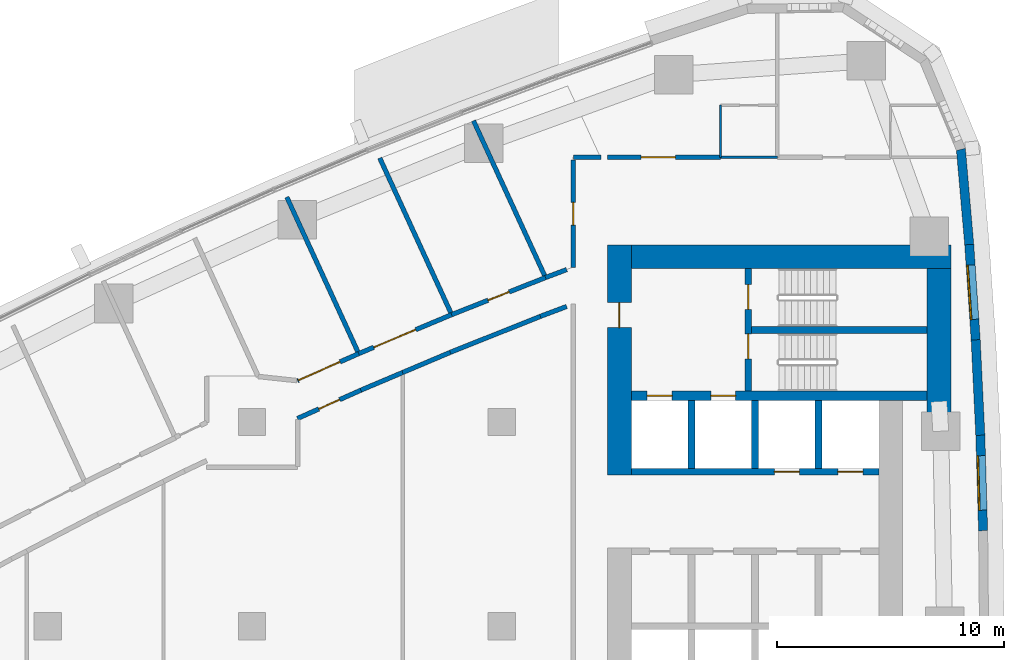
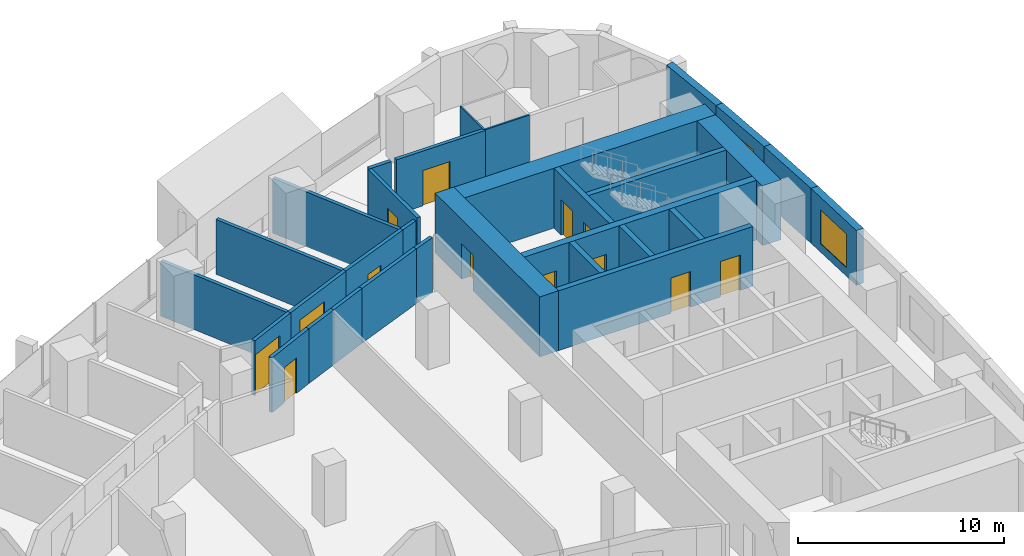
# One storey, part 12 of 17: 31 walls, 13 doors, 2 windows, 15 openings.
"""IFC4 building model written with IfcOpenShell, lengths in metres."""

from ifc_helpers import new_model, si_unit, direction, frame, frame_2d, origin, place, context, subcontext, project, spatial, polyline, rectangle, outline, extrude, material, layer, layer_set, type_object, element, fill, save


model = new_model("IFC4")

# Units and contexts
model_context = context("Model", 3, precision=1e-05, world=origin(), true_north=direction((0.0, 1.0)))
body_context = subcontext(model_context, "Body", "Model", "MODEL_VIEW")
ifc_project = project(units=[si_unit("LENGTHUNIT", "METRE"), si_unit("AREAUNIT", "SQUARE_METRE"), si_unit("VOLUMEUNIT", "CUBIC_METRE"), si_unit("PLANEANGLEUNIT", "RADIAN"), si_unit("MASSUNIT", "GRAM", prefix="KILO")], contexts=[model_context])

# Site, building, storey
site_placement = place(None, origin())
site = spatial("IfcSite", under=ifc_project, at=site_placement, CompositionType="ELEMENT")
building_placement = place(site_placement, origin())
building = spatial("IfcBuilding", under=site, at=building_placement, Name="Ostrand Prow Hotel Tower", CompositionType="ELEMENT")
storey_placement = place(building_placement, frame((0.0, 0.0, 88.449951171875)))
storey = spatial("IfcBuildingStorey", under=building, at=storey_placement, Name="L20", CompositionType="ELEMENT", Elevation=88.449951171875)

# Wall, opening, door
ifc_material_1 = material(Name="Concrete C80/95", Category="concrete")
ifc_layer_1 = layer(ifc_material_1, 1.050048828125)
ifc_layer_set_1 = layer_set([ifc_layer_1], Name="Concrete C80/95")
wall_type_1 = type_object("IfcWallType", Name="Core wall 1050 C80/95", PredefinedType="SHEAR", material=ifc_layer_set_1)
wall_1_placement = place(storey_placement, frame((50.175048828125, 6.64990234375, 0.0), z_axis=(0.0, 0.0, 1.0), x_axis=(0.0, 1.0, 0.0)))
wall_1 = element("IfcWall", 1, at=wall_1_placement, inside=storey, type_object=wall_type_1, Name="Core wall CW-W-N", PredefinedType="SHEAR", context=body_context, shape_type="SweptSolid", body=[
    extrude(rectangle(XDim=10.150146484375, YDim=1.050048828125, at=frame_2d((5.0751953125, 0.0))), origin(), (0.0, 0.0, 1.0), 3.550048828125),
])
opening_1_placement = place(wall_1_placement, frame((6.5, 0.0, 0.0)))
opening_1 = element("IfcOpeningElement", 2, at=opening_1_placement, cuts=wall_1, Name="Opening FD1", PredefinedType="OPENING", context=body_context, shape_type="SweptSolid", body=[
    extrude(rectangle(XDim=1.10009765625, YDim=2.10009765625, at=frame_2d((0.550048828125, 1.050048828125))), frame((0.0, 0.534912109375, 0.0), z_axis=(0.0, -1.0, 0.0), x_axis=(1.0, 0.0, 0.0)), (0.0, 0.0, 1.0), 1.070068359375),
])
ifc_material_2 = material(Name="Steel fire door", Category="steel")
door_type_1 = type_object("IfcDoorType", Name="Fire door 1100 EI120", OperationType="SINGLE_SWING_RIGHT", PredefinedType="DOOR", material=ifc_material_2)
door_1_placement = place(opening_1_placement, origin())
door_1 = element("IfcDoor", 3, at=door_1_placement, inside=storey, type_object=door_type_1, Name="FIRE DOOR", OperationType="SINGLE_SWING_RIGHT", OverallHeight=2.10009765625, OverallWidth=1.10009765625, PredefinedType="DOOR", context=body_context, shape_type="SweptSolid", body=[
    extrude(rectangle(XDim=1.10009765625, YDim=2.10009765625, at=frame_2d((0.550048828125, 1.050048828125))), frame((0.0, 0.02490234375, 0.0), z_axis=(0.0, -1.0, 0.0), x_axis=(1.0, 0.0, 0.0)), (0.0, 0.0, 1.0), 0.050048828125),
])
fill(opening_1, door_1)

# Walls
wall_2_placement = place(storey_placement, frame((50.699951171875, 16.27490234375, 0.0), z_axis=(0.0, 0.0, 1.0), x_axis=(1.0, 0.0, 0.0)))
element("IfcWall", 4, at=wall_2_placement, inside=storey, type_object=wall_type_1, Name="Core wall CW-N", PredefinedType="SHEAR", context=body_context, shape_type="SweptSolid", body=[
    extrude(rectangle(XDim=14.070068359375, YDim=1.050048828125, at=frame_2d((7.03515625, 0.0))), origin(), (0.0, 0.0, 1.0), 3.550048828125),
])
wall_3_placement = place(storey_placement, frame((64.2451171875, 9.388671875, 0.0), z_axis=(0.0, 0.0, 1.0), x_axis=(0.0, 1.0, 0.0)))
element("IfcWall", 5, at=wall_3_placement, inside=storey, type_object=wall_type_1, Name="Core wall CW-E-N", PredefinedType="SHEAR", context=body_context, shape_type="SweptSolid", body=[
    extrude(rectangle(XDim=6.361328125, YDim=1.050048828125, at=frame_2d((3.1806640625, 0.0))), origin(), (0.0, 0.0, 1.0), 3.550048828125),
])

# Wall, openings, doors
ifc_material_3 = material(Name="Concrete C80/95", Category="concrete")
ifc_layer_2 = layer(ifc_material_3, 0.300048828125)
ifc_layer_set_2 = layer_set([ifc_layer_2], Name="Concrete C80/95")
wall_type_2 = type_object("IfcWallType", Name="Core wall 300 C80/95", PredefinedType="SHEAR", material=ifc_layer_set_2)
wall_4_placement = place(storey_placement, frame((50.699951171875, 6.800048828125, 0.0), z_axis=(0.0, 0.0, 1.0), x_axis=(1.0, 0.0, 0.0)))
wall_4 = element("IfcWall", 6, at=wall_4_placement, inside=storey, type_object=wall_type_2, Name="Core wall PW-L2-N", PredefinedType="SHEAR", context=body_context, shape_type="SweptSolid", body=[
    extrude(rectangle(XDim=10.900146484375, YDim=0.300048828125, at=frame_2d((5.4501953125, 0.0))), origin(), (0.0, 0.0, 1.0), 3.550048828125),
])
opening_2_placement = place(wall_4_placement, frame((6.300048828125, 0.0, 0.0)))
opening_2 = element("IfcOpeningElement", 7, at=opening_2_placement, cuts=wall_4, Name="Opening LD", PredefinedType="OPENING", context=body_context, shape_type="SweptSolid", body=[
    extrude(rectangle(XDim=1.10009765625, YDim=2.10009765625, at=frame_2d((0.550048828125, 1.050048828125))), frame((0.0, 0.159912109375, 0.0), z_axis=(0.0, -1.0, 0.0), x_axis=(1.0, 0.0, 0.0)), (0.0, 0.0, 1.0), 0.320068359375),
])
opening_3_placement = place(wall_4_placement, frame((9.10009765625, 0.0, 0.0)))
opening_3 = element("IfcOpeningElement", 8, at=opening_3_placement, cuts=wall_4, Name="Opening LD", PredefinedType="OPENING", context=body_context, shape_type="SweptSolid", body=[
    extrude(rectangle(XDim=1.10009765625, YDim=2.10009765625, at=frame_2d((0.550048828125, 1.050048828125))), frame((0.0, 0.159912109375, 0.0), z_axis=(0.0, -1.0, 0.0), x_axis=(1.0, 0.0, 0.0)), (0.0, 0.0, 1.0), 0.320068359375),
])
ifc_material_4 = material(Name="Stainless steel door", Category="steel")
door_type_2 = type_object("IfcDoorType", Name="Lift landing door 1100", OperationType="DOUBLE_DOOR_SLIDING", PredefinedType="DOOR", material=ifc_material_4)
door_2_placement = place(opening_2_placement, origin())
door_2 = element("IfcDoor", 9, at=door_2_placement, inside=storey, type_object=door_type_2, Name="LIFT LANDING DOOR", OperationType="DOUBLE_DOOR_SLIDING", OverallHeight=2.10009765625, OverallWidth=1.10009765625, PredefinedType="DOOR", context=body_context, shape_type="SweptSolid", body=[
    extrude(rectangle(XDim=1.10009765625, YDim=2.10009765625, at=frame_2d((0.550048828125, 1.050048828125))), frame((0.0, 0.02490234375, 0.0), z_axis=(0.0, -1.0, 0.0), x_axis=(1.0, 0.0, 0.0)), (0.0, 0.0, 1.0), 0.050048828125),
])
fill(opening_2, door_2)
door_3_placement = place(opening_3_placement, origin())
door_3 = element("IfcDoor", 10, at=door_3_placement, inside=storey, type_object=door_type_2, Name="LIFT LANDING DOOR", OperationType="DOUBLE_DOOR_SLIDING", OverallHeight=2.10009765625, OverallWidth=1.10009765625, PredefinedType="DOOR", context=body_context, shape_type="SweptSolid", body=[
    extrude(rectangle(XDim=1.10009765625, YDim=2.10009765625, at=frame_2d((0.550048828125, 1.050048828125))), frame((0.0, 0.02490234375, 0.0), z_axis=(0.0, -1.0, 0.0), x_axis=(1.0, 0.0, 0.0)), (0.0, 0.0, 1.0), 0.050048828125),
])
fill(opening_3, door_3)

# Walls
for number, where, z_axis, x_axis, name in (
    (11, (53.35009765625, 6.949951171875, 0.0), (0.0, 0.0, 1.0), (0.0, 1.0, 0.0), "Core wall PW-R1-NA"),
    (12, (56.14990234375, 6.949951171875, 0.0), (0.0, 0.0, 1.0), (0.0, 1.0, 0.0), "Core wall PW-R2-NA"),
    (13, (58.949951171875, 6.949951171875, 0.0), (0.0, 0.0, 1.0), (0.0, 1.0, 0.0), "Core wall PW-R3-NA"),
):
    element("IfcWall", number, at=place(storey_placement, frame(where, z_axis=z_axis, x_axis=x_axis)), inside=storey, type_object=wall_type_2, Name=name, PredefinedType="SHEAR", context=body_context, shape_type="SweptSolid", body=[
        extrude(rectangle(XDim=3.0, YDim=0.300048828125, at=frame_2d((1.5, 0.0))), origin(), (0.0, 0.0, 1.0), 3.550048828125),
    ])

# Wall, openings, doors
wall_5_placement = place(storey_placement, frame((55.85009765625, 10.35009765625, 0.0), z_axis=(0.0, 0.0, 1.0), x_axis=(0.0, 1.0, 0.0)))
wall_5 = element("IfcWall", 14, at=wall_5_placement, inside=storey, type_object=wall_type_2, Name="Core wall PW-VN", PredefinedType="SHEAR", context=body_context, shape_type="SweptSolid", body=[
    extrude(rectangle(XDim=5.39990234375, YDim=0.300048828125, at=frame_2d((2.699951171875, 0.0))), origin(), (0.0, 0.0, 1.0), 3.550048828125),
])
opening_4_placement = place(wall_5_placement, frame((1.429931640625, 0.0, 0.0)))
opening_4 = element("IfcOpeningElement", 15, at=opening_4_placement, cuts=wall_5, Name="Opening FD1", PredefinedType="OPENING", context=body_context, shape_type="SweptSolid", body=[
    extrude(rectangle(XDim=1.10009765625, YDim=2.10009765625, at=frame_2d((0.550048828125, 1.050048828125))), frame((0.0, 0.159912109375, 0.0), z_axis=(0.0, -1.0, 0.0), x_axis=(1.0, 0.0, 0.0)), (0.0, 0.0, 1.0), 0.320068359375),
])
opening_5_placement = place(wall_5_placement, frame((3.60009765625, 0.0, 0.0)))
opening_5 = element("IfcOpeningElement", 16, at=opening_5_placement, cuts=wall_5, Name="Opening FD1", PredefinedType="OPENING", context=body_context, shape_type="SweptSolid", body=[
    extrude(rectangle(XDim=1.10009765625, YDim=2.10009765625, at=frame_2d((0.550048828125, 1.050048828125))), frame((0.0, 0.159912109375, 0.0), z_axis=(0.0, -1.0, 0.0), x_axis=(1.0, 0.0, 0.0)), (0.0, 0.0, 1.0), 0.320068359375),
])
door_4_placement = place(opening_4_placement, origin())
door_4 = element("IfcDoor", 17, at=door_4_placement, inside=storey, type_object=door_type_1, Name="FIRE DOOR", OperationType="SINGLE_SWING_RIGHT", OverallHeight=2.10009765625, OverallWidth=1.10009765625, PredefinedType="DOOR", context=body_context, shape_type="SweptSolid", body=[
    extrude(rectangle(XDim=1.10009765625, YDim=2.10009765625, at=frame_2d((0.550048828125, 1.050048828125))), frame((0.0, 0.02490234375, 0.0), z_axis=(0.0, -1.0, 0.0), x_axis=(1.0, 0.0, 0.0)), (0.0, 0.0, 1.0), 0.050048828125),
])
fill(opening_4, door_4)
door_5_placement = place(opening_5_placement, origin())
door_5 = element("IfcDoor", 18, at=door_5_placement, inside=storey, type_object=door_type_1, Name="FIRE DOOR", OperationType="SINGLE_SWING_RIGHT", OverallHeight=2.10009765625, OverallWidth=1.10009765625, PredefinedType="DOOR", context=body_context, shape_type="SweptSolid", body=[
    extrude(rectangle(XDim=1.10009765625, YDim=2.10009765625, at=frame_2d((0.550048828125, 1.050048828125))), frame((0.0, 0.02490234375, 0.0), z_axis=(0.0, -1.0, 0.0), x_axis=(1.0, 0.0, 0.0)), (0.0, 0.0, 1.0), 0.050048828125),
])
fill(opening_5, door_5)

# Wall
wall_6_placement = place(storey_placement, frame((56.0, 13.050048828125, 0.0), z_axis=(0.0, 0.0, 1.0), x_axis=(1.0, 0.0, 0.0)))
element("IfcWall", 19, at=wall_6_placement, inside=storey, type_object=wall_type_2, Name="Core wall PW-ST13", PredefinedType="SHEAR", context=body_context, shape_type="SweptSolid", body=[
    extrude(rectangle(XDim=7.719970703125, YDim=0.300048828125, at=frame_2d((3.85986328125, 0.0))), origin(), (0.0, 0.0, 1.0), 3.550048828125),
])

# Wall, openings, doors
ifc_material_5 = material(Name="Concrete C80/95", Category="concrete")
ifc_layer_3 = layer(ifc_material_5, 0.39990234375)
ifc_layer_set_3 = layer_set([ifc_layer_3], Name="Concrete C80/95")
wall_type_3 = type_object("IfcWallType", Name="Core wall 400 C80/95", PredefinedType="SHEAR", material=ifc_layer_set_3)
wall_7_placement = place(storey_placement, frame((50.699951171875, 10.14990234375, 0.0), z_axis=(0.0, 0.0, 1.0), x_axis=(1.0, 0.0, 0.0)))
wall_7 = element("IfcWall", 20, at=wall_7_placement, inside=storey, type_object=wall_type_3, Name="Core wall PW-BN", PredefinedType="SHEAR", context=body_context, shape_type="SweptSolid", body=[
    extrude(rectangle(XDim=13.02001953125, YDim=0.39990234375, at=frame_2d((6.510009765625, 0.0))), origin(), (0.0, 0.0, 1.0), 3.550048828125),
])
opening_6_placement = place(wall_7_placement, frame((0.699951171875, 0.0, 0.0)))
opening_6 = element("IfcOpeningElement", 21, at=opening_6_placement, cuts=wall_7, Name="Opening LD", PredefinedType="OPENING", context=body_context, shape_type="SweptSolid", body=[
    extrude(rectangle(XDim=1.10009765625, YDim=2.10009765625, at=frame_2d((0.550048828125, 1.050048828125))), frame((0.0, 0.2099609375, 0.0), z_axis=(0.0, -1.0, 0.0), x_axis=(1.0, 0.0, 0.0)), (0.0, 0.0, 1.0), 0.419921875),
])
opening_7_placement = place(wall_7_placement, frame((3.5, 0.0, 0.0)))
opening_7 = element("IfcOpeningElement", 22, at=opening_7_placement, cuts=wall_7, Name="Opening LD", PredefinedType="OPENING", context=body_context, shape_type="SweptSolid", body=[
    extrude(rectangle(XDim=1.10009765625, YDim=2.10009765625, at=frame_2d((0.550048828125, 1.050048828125))), frame((0.0, 0.2099609375, 0.0), z_axis=(0.0, -1.0, 0.0), x_axis=(1.0, 0.0, 0.0)), (0.0, 0.0, 1.0), 0.419921875),
])
door_6_placement = place(opening_6_placement, origin())
door_6 = element("IfcDoor", 23, at=door_6_placement, inside=storey, type_object=door_type_2, Name="LIFT LANDING DOOR", OperationType="DOUBLE_DOOR_SLIDING", OverallHeight=2.10009765625, OverallWidth=1.10009765625, PredefinedType="DOOR", context=body_context, shape_type="SweptSolid", body=[
    extrude(rectangle(XDim=1.10009765625, YDim=2.10009765625, at=frame_2d((0.550048828125, 1.050048828125))), frame((0.0, 0.02490234375, 0.0), z_axis=(0.0, -1.0, 0.0), x_axis=(1.0, 0.0, 0.0)), (0.0, 0.0, 1.0), 0.050048828125),
])
fill(opening_6, door_6)
door_7_placement = place(opening_7_placement, origin())
door_7 = element("IfcDoor", 24, at=door_7_placement, inside=storey, type_object=door_type_2, Name="LIFT LANDING DOOR", OperationType="DOUBLE_DOOR_SLIDING", OverallHeight=2.10009765625, OverallWidth=1.10009765625, PredefinedType="DOOR", context=body_context, shape_type="SweptSolid", body=[
    extrude(rectangle(XDim=1.10009765625, YDim=2.10009765625, at=frame_2d((0.550048828125, 1.050048828125))), frame((0.0, 0.02490234375, 0.0), z_axis=(0.0, -1.0, 0.0), x_axis=(1.0, 0.0, 0.0)), (0.0, 0.0, 1.0), 0.050048828125),
])
fill(opening_7, door_7)

# Walls
ifc_material_6 = material(Name="Plasterboard partition")
ifc_layer_4 = layer(ifc_material_6, 0.10009765625)
ifc_layer_set_4 = layer_set([ifc_layer_4], Name="Plasterboard partition")
wall_type_4 = type_object("IfcWallType", Name="Partition 100 bathroom wall", PredefinedType="PARTITIONING", material=ifc_layer_set_4)
wall_8_placement = place(storey_placement, frame((54.630615234375, 20.64990234375, 0.0), z_axis=(0.0, 0.0, 1.0), x_axis=(0.0, 1.0, 0.0)))
element("IfcWall", 25, at=wall_8_placement, inside=storey, type_object=wall_type_4, Name="BATHROOM WALL", PredefinedType="PARTITIONING", context=body_context, shape_type="SweptSolid", body=[
    extrude(rectangle(XDim=2.300048828125, YDim=0.10009765625, at=frame_2d((1.14990234375, 0.0))), origin(), (0.0, 0.0, 1.0), 3.25),
])
wall_9_placement = place(storey_placement, frame((57.130615234375, 20.655029296875, 0.0), z_axis=(0.0, 0.0, 1.0), x_axis=(-1.0, 0.0, 0.0)))
element("IfcWall", 26, at=wall_9_placement, inside=storey, type_object=wall_type_4, Name="BATHROOM WALL", PredefinedType="PARTITIONING", context=body_context, shape_type="SweptSolid", body=[
    extrude(rectangle(XDim=2.5, YDim=0.10009765625, at=frame_2d((1.25, 0.0))), origin(), (0.0, 0.0, 1.0), 3.25),
])

# Wall, opening, door
ifc_material_7 = material(Name="Plasterboard partition")
ifc_layer_5 = layer(ifc_material_7, 0.199951171875)
ifc_layer_set_5 = layer_set([ifc_layer_5], Name="Plasterboard partition")
wall_type_5 = type_object("IfcWallType", Name="Partition 200 corridor wall", PredefinedType="PARTITIONING", material=ifc_layer_set_5)
wall_10_placement = place(storey_placement, frame((38.696044921875, 12.0068359375, 0.0), z_axis=(0.0, 0.0, 1.0), x_axis=(-0.914578343518, -0.404408770389, 0.0)))
wall_10 = element("IfcWall", 27, at=wall_10_placement, inside=storey, type_object=wall_type_5, Name="CORRIDOR WALL", PredefinedType="PARTITIONING", context=body_context, shape_type="SweptSolid", body=[
    extrude(rectangle(XDim=2.94775390625, YDim=0.199951171875, at=frame_2d((1.473876953125, 0.0))), origin(), (0.0, 0.0, 1.0), 3.25),
])
opening_8_placement = place(wall_10_placement, frame((0.89794921875, 0.0, 0.0)))
opening_8 = element("IfcOpeningElement", 28, at=opening_8_placement, cuts=wall_10, Name="Opening D20", PredefinedType="OPENING", context=body_context, shape_type="SweptSolid", body=[
    extrude(rectangle(XDim=2.0, YDim=2.39990234375, at=frame_2d((1.0, 1.199951171875))), frame((0.0, 0.10986328125, 0.0), z_axis=(0.0, -1.0, 0.0), x_axis=(1.0, 0.0, 0.0)), (0.0, 0.0, 1.0), 0.219970703125),
])
ifc_material_8 = material(Name="Timber door leaf", Category="wood")
door_type_3 = type_object("IfcDoorType", Name="Double door 2000", OperationType="DOUBLE_DOOR_SINGLE_SWING", PredefinedType="DOOR", material=ifc_material_8)
door_8_placement = place(opening_8_placement, origin())
door_8 = element("IfcDoor", 29, at=door_8_placement, inside=storey, type_object=door_type_3, Name="DOOR", OperationType="DOUBLE_DOOR_SINGLE_SWING", OverallHeight=2.39990234375, OverallWidth=2.0, PredefinedType="DOOR", context=body_context, shape_type="SweptSolid", body=[
    extrude(rectangle(XDim=2.0, YDim=2.39990234375, at=frame_2d((1.0, 1.199951171875))), frame((0.0, 0.02490234375, 0.0), z_axis=(0.0, -1.0, 0.0), x_axis=(1.0, 0.0, 0.0)), (0.0, 0.0, 1.0), 0.050048828125),
])
fill(opening_8, door_8)

wall_11_placement = place(storey_placement, frame((42.791015625, 13.7236328125, 0.0), z_axis=(0.0, 0.0, 1.0), x_axis=(-0.922230433067, -0.386640696675, 0.0)))
wall_11 = element("IfcWall", 30, at=wall_11_placement, inside=storey, type_object=wall_type_5, Name="CORRIDOR WALL", PredefinedType="PARTITIONING", context=body_context, shape_type="SweptSolid", body=[
    extrude(rectangle(XDim=4.440185546875, YDim=0.199951171875, at=frame_2d((2.22021484375, 0.0))), origin(), (0.0, 0.0, 1.0), 3.25),
])
opening_9_placement = place(wall_11_placement, frame((1.72021484375, 0.0, 0.0)))
opening_9 = element("IfcOpeningElement", 31, at=opening_9_placement, cuts=wall_11, Name="Opening D20", PredefinedType="OPENING", context=body_context, shape_type="SweptSolid", body=[
    extrude(rectangle(XDim=2.0, YDim=2.39990234375, at=frame_2d((1.0, 1.199951171875))), frame((0.0, 0.10986328125, 0.0), z_axis=(0.0, -1.0, 0.0), x_axis=(1.0, 0.0, 0.0)), (0.0, 0.0, 1.0), 0.219970703125),
])
door_9_placement = place(opening_9_placement, origin())
door_9 = element("IfcDoor", 32, at=door_9_placement, inside=storey, type_object=door_type_3, Name="DOOR", OperationType="DOUBLE_DOOR_SINGLE_SWING", OverallHeight=2.39990234375, OverallWidth=2.0, PredefinedType="DOOR", context=body_context, shape_type="SweptSolid", body=[
    extrude(rectangle(XDim=2.0, YDim=2.39990234375, at=frame_2d((1.0, 1.199951171875))), frame((0.0, 0.02490234375, 0.0), z_axis=(0.0, -1.0, 0.0), x_axis=(1.0, 0.0, 0.0)), (0.0, 0.0, 1.0), 0.050048828125),
])
fill(opening_9, door_9)

wall_12_placement = place(storey_placement, frame((46.92431640625, 15.356689453125, 0.0), z_axis=(0.0, 0.0, 1.0), x_axis=(-0.930040633249, -0.367456692014, 0.0)))
wall_12 = element("IfcWall", 33, at=wall_12_placement, inside=storey, type_object=wall_type_5, Name="CORRIDOR WALL", PredefinedType="PARTITIONING", context=body_context, shape_type="SweptSolid", body=[
    extrude(rectangle(XDim=4.4443359375, YDim=0.199951171875, at=frame_2d((2.22216796875, 0.0))), origin(), (0.0, 0.0, 1.0), 3.25),
])
opening_10_placement = place(wall_12_placement, frame((1.72216796875, 0.0, 0.0)))
opening_10 = element("IfcOpeningElement", 34, at=opening_10_placement, cuts=wall_12, Name="Opening D1", PredefinedType="OPENING", context=body_context, shape_type="SweptSolid", body=[
    extrude(rectangle(XDim=1.0, YDim=2.10009765625, at=frame_2d((0.5, 1.050048828125))), frame((0.0, 0.10986328125, 0.0), z_axis=(0.0, -1.0, 0.0), x_axis=(1.0, 0.0, 0.0)), (0.0, 0.0, 1.0), 0.219970703125),
])
ifc_material_9 = material(Name="Timber door leaf", Category="wood")
door_type_4 = type_object("IfcDoorType", Name="Guest room door 1000", OperationType="SINGLE_SWING_LEFT", PredefinedType="DOOR", material=ifc_material_9)
door_10_placement = place(opening_10_placement, origin())
door_10 = element("IfcDoor", 35, at=door_10_placement, inside=storey, type_object=door_type_4, Name="DOOR", OperationType="SINGLE_SWING_LEFT", OverallHeight=2.10009765625, OverallWidth=1.0, PredefinedType="DOOR", context=body_context, shape_type="SweptSolid", body=[
    extrude(rectangle(XDim=1.0, YDim=2.10009765625, at=frame_2d((0.5, 1.050048828125))), frame((0.0, 0.02490234375, 0.0), z_axis=(0.0, -1.0, 0.0), x_axis=(1.0, 0.0, 0.0)), (0.0, 0.0, 1.0), 0.050048828125),
])
fill(opening_10, door_10)

wall_13_placement = place(storey_placement, frame((36.0, 9.14990234375, 0.0), z_axis=(0.0, 0.0, 1.0), x_axis=(0.913029587861, 0.407893333716, 0.0)))
wall_13 = element("IfcWall", 36, at=wall_13_placement, inside=storey, type_object=wall_type_5, Name="CORRIDOR WALL", PredefinedType="PARTITIONING", context=body_context, shape_type="SweptSolid", body=[
    extrude(rectangle(XDim=3.057861328125, YDim=0.199951171875, at=frame_2d((1.52880859375, 0.0))), origin(), (0.0, 0.0, 1.0), 3.25),
])
opening_11_placement = place(wall_13_placement, frame((1.029052734375, 0.0, 0.0)))
opening_11 = element("IfcOpeningElement", 37, at=opening_11_placement, cuts=wall_13, Name="Opening D1R", PredefinedType="OPENING", context=body_context, shape_type="SweptSolid", body=[
    extrude(rectangle(XDim=1.0, YDim=2.10009765625, at=frame_2d((0.5, 1.050048828125))), frame((0.0, 0.10986328125, 0.0), z_axis=(0.0, -1.0, 0.0), x_axis=(1.0, 0.0, 0.0)), (0.0, 0.0, 1.0), 0.219970703125),
])
ifc_material_10 = material(Name="Timber door leaf", Category="wood")
door_type_5 = type_object("IfcDoorType", Name="Guest room door 1000 right", OperationType="SINGLE_SWING_RIGHT", PredefinedType="DOOR", material=ifc_material_10)
door_11_placement = place(opening_11_placement, origin())
door_11 = element("IfcDoor", 38, at=door_11_placement, inside=storey, type_object=door_type_5, Name="DOOR", OperationType="SINGLE_SWING_RIGHT", OverallHeight=2.10009765625, OverallWidth=1.0, PredefinedType="DOOR", context=body_context, shape_type="SweptSolid", body=[
    extrude(rectangle(XDim=1.0, YDim=2.10009765625, at=frame_2d((0.5, 1.050048828125))), frame((0.0, 0.02490234375, 0.0), z_axis=(0.0, -1.0, 0.0), x_axis=(1.0, 0.0, 0.0)), (0.0, 0.0, 1.0), 0.050048828125),
])
fill(opening_11, door_11)

# Walls
wall_14_placement = place(storey_placement, frame((38.7919921875, 10.397216796875, 0.0), z_axis=(0.0, 0.0, 1.0), x_axis=(0.92104665064, 0.38945226581, 0.0)))
element("IfcWall", 39, at=wall_14_placement, inside=storey, type_object=wall_type_5, Name="CORRIDOR WALL", PredefinedType="PARTITIONING", context=body_context, shape_type="SweptSolid", body=[
    extrude(rectangle(XDim=1.994140625, YDim=0.199951171875, at=frame_2d((0.9970703125, 0.0))), origin(), (0.0, 0.0, 1.0), 3.25),
])
wall_15_placement = place(storey_placement, frame((42.727783203125, 12.0615234375, 0.0), z_axis=(0.0, 0.0, 1.0), x_axis=(0.928638161177, 0.370986745864, 0.0)))
element("IfcWall", 40, at=wall_15_placement, inside=storey, type_object=wall_type_5, Name="CORRIDOR WALL", PredefinedType="PARTITIONING", context=body_context, shape_type="SweptSolid", body=[
    extrude(rectangle(XDim=4.27294921875, YDim=0.199951171875, at=frame_2d((2.136474609375, 0.0))), origin(), (0.0, 0.0, 1.0), 3.25),
])
wall_16_placement = place(storey_placement, frame((40.628662109375, 11.173828125, 0.0), z_axis=(0.0, 0.0, 1.0), x_axis=(0.921029334809, 0.38949321486, 0.0)))
element("IfcWall", 41, at=wall_16_placement, inside=storey, type_object=wall_type_5, Name="CORRIDOR WALL", PredefinedType="PARTITIONING", context=body_context, shape_type="SweptSolid", body=[
    extrude(rectangle(XDim=2.279052734375, YDim=0.199951171875, at=frame_2d((1.1396484375, 0.0))), origin(), (0.0, 0.0, 1.0), 3.25),
])

# Wall, opening, door
wall_17_placement = place(storey_placement, frame((54.62548828125, 20.655029296875, 0.0), z_axis=(0.0, 0.0, 1.0), x_axis=(-1.0, 0.0, 0.0)))
wall_17 = element("IfcWall", 42, at=wall_17_placement, inside=storey, type_object=wall_type_5, Name="CORRIDOR WALL", PredefinedType="PARTITIONING", context=body_context, shape_type="SweptSolid", body=[
    extrude(rectangle(XDim=4.9755859375, YDim=0.199951171875, at=frame_2d((2.48779296875, 0.0))), origin(), (0.0, 0.0, 1.0), 3.25),
])
opening_12_placement = place(wall_17_placement, frame((1.98779296875, 0.0, 0.0)))
opening_12 = element("IfcOpeningElement", 43, at=opening_12_placement, cuts=wall_17, Name="Opening D15", PredefinedType="OPENING", context=body_context, shape_type="SweptSolid", body=[
    extrude(rectangle(XDim=1.5, YDim=2.10009765625, at=frame_2d((0.75, 1.050048828125))), frame((0.0, 0.10986328125, 0.0), z_axis=(0.0, -1.0, 0.0), x_axis=(1.0, 0.0, 0.0)), (0.0, 0.0, 1.0), 0.219970703125),
])
ifc_material_11 = material(Name="Timber door leaf", Category="wood")
door_type_6 = type_object("IfcDoorType", Name="Double door 1500", OperationType="DOUBLE_DOOR_SINGLE_SWING", PredefinedType="DOOR", material=ifc_material_11)
door_12_placement = place(opening_12_placement, origin())
door_12 = element("IfcDoor", 44, at=door_12_placement, inside=storey, type_object=door_type_6, Name="DOOR", OperationType="DOUBLE_DOOR_SINGLE_SWING", OverallHeight=2.10009765625, OverallWidth=1.5, PredefinedType="DOOR", context=body_context, shape_type="SweptSolid", body=[
    extrude(rectangle(XDim=1.5, YDim=2.10009765625, at=frame_2d((0.75, 1.050048828125))), frame((0.0, 0.02490234375, 0.0), z_axis=(0.0, -1.0, 0.0), x_axis=(1.0, 0.0, 0.0)), (0.0, 0.0, 1.0), 0.050048828125),
])
fill(opening_12, door_12)

# Walls
wall_18_placement = place(storey_placement, frame((47.85498046875, 15.707275390625, 0.0), z_axis=(0.0, 0.0, 1.0), x_axis=(-0.935803526171, -0.35252199989, 0.0)))
element("IfcWall", 45, at=wall_18_placement, inside=storey, type_object=wall_type_5, Name="CORRIDOR WALL", PredefinedType="PARTITIONING", context=body_context, shape_type="SweptSolid", body=[
    extrude(rectangle(XDim=0.99462890625, YDim=0.199951171875, at=frame_2d((0.497314453125, 0.0))), origin(), (0.0, 0.0, 1.0), 3.25),
])
wall_19_placement = place(storey_placement, frame((46.69580078125, 13.646728515625, 0.0), z_axis=(0.0, 0.0, 1.0), x_axis=(0.935907269358, 0.352246480696, 0.0)))
element("IfcWall", 46, at=wall_19_placement, inside=storey, type_object=wall_type_5, Name="CORRIDOR WALL", PredefinedType="PARTITIONING", context=body_context, shape_type="SweptSolid", body=[
    extrude(rectangle(XDim=1.238525390625, YDim=0.199951171875, at=frame_2d((0.619140625, 0.0))), origin(), (0.0, 0.0, 1.0), 3.25),
])
wall_20_placement = place(storey_placement, frame((49.36181640625, 20.655029296875, 0.0), z_axis=(0.0, 0.0, 1.0), x_axis=(-0.999996595549, -0.002609384934, 0.0)))
element("IfcWall", 47, at=wall_20_placement, inside=storey, type_object=wall_type_5, Name="CORRIDOR WALL", PredefinedType="PARTITIONING", context=body_context, shape_type="SweptSolid", body=[
    extrude(rectangle(XDim=1.21630859375, YDim=0.199951171875, at=frame_2d((0.608154296875, 0.0))), origin(), (0.0, 0.0, 1.0), 3.25),
])

# Wall, opening, door
wall_21_placement = place(storey_placement, frame((48.1455078125, 20.531982421875, 0.0), z_axis=(0.0, 0.0, 1.0), x_axis=(-5.1599587e-05, -0.999999998669, 0.0)))
wall_21 = element("IfcWall", 48, at=wall_21_placement, inside=storey, type_object=wall_type_5, Name="CORRIDOR WALL", PredefinedType="PARTITIONING", context=body_context, shape_type="SweptSolid", body=[
    extrude(rectangle(XDim=4.7314453125, YDim=0.199951171875, at=frame_2d((2.36572265625, 0.0))), origin(), (0.0, 0.0, 1.0), 3.25),
])
opening_13_placement = place(wall_21_placement, frame((1.865966796875, 0.0, 0.0)))
opening_13 = element("IfcOpeningElement", 49, at=opening_13_placement, cuts=wall_21, Name="Opening D1", PredefinedType="OPENING", context=body_context, shape_type="SweptSolid", body=[
    extrude(rectangle(XDim=1.0, YDim=2.10009765625, at=frame_2d((0.5, 1.050048828125))), frame((0.0, 0.10986328125, 0.0), z_axis=(0.0, -1.0, 0.0), x_axis=(1.0, 0.0, 0.0)), (0.0, 0.0, 1.0), 0.219970703125),
])
door_13_placement = place(opening_13_placement, origin())
door_13 = element("IfcDoor", 50, at=door_13_placement, inside=storey, type_object=door_type_4, Name="DOOR", OperationType="SINGLE_SWING_LEFT", OverallHeight=2.10009765625, OverallWidth=1.0, PredefinedType="DOOR", context=body_context, shape_type="SweptSolid", body=[
    extrude(rectangle(XDim=1.0, YDim=2.10009765625, at=frame_2d((0.5, 1.050048828125))), frame((0.0, 0.02490234375, 0.0), z_axis=(0.0, -1.0, 0.0), x_axis=(1.0, 0.0, 0.0)), (0.0, 0.0, 1.0), 0.050048828125),
])
fill(opening_13, door_13)

# Walls
ifc_material_12 = material(Name="Plasterboard partition")
ifc_layer_6 = layer(ifc_material_12, 0.199951171875)
ifc_layer_set_6 = layer_set([ifc_layer_6], Name="Plasterboard partition")
wall_type_6 = type_object("IfcWallType", Name="Partition 200 key partition", PredefinedType="PARTITIONING", material=ifc_layer_set_6)
wall_22_placement = place(storey_placement, frame((38.704345703125, 11.988525390625, 0.0), z_axis=(0.0, 0.0, 1.0), x_axis=(-0.417416334044, 0.908715359215, 0.0)))
element("IfcWall", 51, at=wall_22_placement, inside=storey, type_object=wall_type_6, Name="KEY PARTITION", PredefinedType="PARTITIONING", context=body_context, shape_type="SweptSolid", body=[
    extrude(rectangle(XDim=7.603515625, YDim=0.199951171875, at=frame_2d((3.8017578125, 0.0))), origin(), (0.0, 0.0, 1.0), 3.25),
])
wall_23_placement = place(storey_placement, frame((42.79931640625, 13.705322265625, 0.0), z_axis=(0.0, 0.0, 1.0), x_axis=(-0.417427858403, 0.908710065438, 0.0)))
element("IfcWall", 52, at=wall_23_placement, inside=storey, type_object=wall_type_6, Name="KEY PARTITION", PredefinedType="PARTITIONING", context=body_context, shape_type="SweptSolid", body=[
    extrude(rectangle(XDim=7.609619140625, YDim=0.199951171875, at=frame_2d((3.8046875, 0.0))), origin(), (0.0, 0.0, 1.0), 3.25),
])
wall_24_placement = place(storey_placement, frame((46.9326171875, 15.338623046875, 0.0), z_axis=(0.0, 0.0, 1.0), x_axis=(-0.417437957167, 0.908705426371, 0.0)))
element("IfcWall", 53, at=wall_24_placement, inside=storey, type_object=wall_type_6, Name="KEY PARTITION", PredefinedType="PARTITIONING", context=body_context, shape_type="SweptSolid", body=[
    extrude(rectangle(XDim=7.618896484375, YDim=0.199951171875, at=frame_2d((3.8095703125, 0.0))), origin(), (0.0, 0.0, 1.0), 3.25),
])

# Wall, opening, window
ifc_material_13 = material(Name="Precast concrete C40/50", Category="concrete")
ifc_layer_7 = layer(ifc_material_13, 0.39990234375)
ifc_layer_set_7 = layer_set([ifc_layer_7], Name="Precast concrete C40/50")
wall_type_7 = type_object("IfcWallType", Name="Stone-faced precast wall 400 mm", PredefinedType="NOTDEFINED", material=ifc_layer_set_7)
wall_25_placement = place(storey_placement, frame((66.193603515625, 4.20654296875, 0.0), z_axis=(0.0, 0.0, 1.0), x_axis=(-0.02901703777, 0.999578917104, 0.0)))
wall_25 = element("IfcWall", 54, at=wall_25_placement, inside=storey, type_object=wall_type_7, Name="Stone-faced wall back 11", PredefinedType="NOTDEFINED", context=body_context, shape_type="SweptSolid", body=[
    extrude(outline(polyline([(-0.001953125, -0.199951171875), (4.208740234375, -0.199951171875), (4.204833984375, 0.199951171875), (0.001953125, 0.199951171875), (-0.001953125, -0.199951171875)])), origin(), (0.0, 0.0, 1.0), 3.25),
])
opening_14_placement = place(wall_25_placement, frame((0.9033203125, 0.0, 0.5)))
opening_14 = element("IfcOpeningElement", 55, at=opening_14_placement, cuts=wall_25, Name="Opening WA1", PredefinedType="OPENING", context=body_context, shape_type="SweptSolid", body=[
    extrude(rectangle(XDim=2.39990234375, YDim=2.0, at=frame_2d((1.199951171875, 1.0))), frame((0.0, 0.2099609375, 0.0), z_axis=(0.0, -1.0, 0.0), x_axis=(1.0, 0.0, 0.0)), (0.0, 0.0, 1.0), 0.419921875),
])
ifc_material_14 = material(Name="Insulated glass in bronze frame", Category="glass")
window_type = type_object("IfcWindowType", Name="Amenity picture window 2400x2000", PartitioningType="SINGLE_PANEL", PredefinedType="WINDOW", material=ifc_material_14)
window_1_placement = place(opening_14_placement, origin())
window_1 = element("IfcWindow", 56, at=window_1_placement, inside=storey, type_object=window_type, Name="Window back 11.1", OverallHeight=2.0, OverallWidth=2.39990234375, PartitioningType="SINGLE_PANEL", PredefinedType="WINDOW", context=body_context, shape_type="SweptSolid", body=[
    extrude(rectangle(XDim=2.39990234375, YDim=2.0, at=frame_2d((1.199951171875, 1.0))), frame((0.0, 0.169921875, 0.0), z_axis=(0.0, -1.0, 0.0), x_axis=(1.0, 0.0, 0.0)), (0.0, 0.0, 1.0), 0.06005859375),
])
fill(opening_14, window_1)

# Wall
wall_26_placement = place(storey_placement, frame((66.071533203125, 8.41162109375, 0.0), z_axis=(0.0, 0.0, 1.0), x_axis=(-0.048342691508, 0.998830808585, 0.0)))
element("IfcWall", 57, at=wall_26_placement, inside=storey, type_object=wall_type_7, Name="Stone-faced wall back 12", PredefinedType="NOTDEFINED", context=body_context, shape_type="SweptSolid", body=[
    extrude(outline(polyline([(-0.001953125, -0.199951171875), (4.208740234375, -0.199951171875), (4.204833984375, 0.199951171875), (0.001953125, 0.199951171875), (-0.001953125, -0.199951171875)])), origin(), (0.0, 0.0, 1.0), 3.25),
])

# Wall, opening, window
wall_27_placement = place(storey_placement, frame((65.8681640625, 12.613525390625, 0.0), z_axis=(0.0, 0.0, 1.0), x_axis=(-0.067724559895, 0.997704056315, 0.0)))
wall_27 = element("IfcWall", 58, at=wall_27_placement, inside=storey, type_object=wall_type_7, Name="Stone-faced wall back 13", PredefinedType="NOTDEFINED", context=body_context, shape_type="SweptSolid", body=[
    extrude(outline(polyline([(-0.001953125, -0.199951171875), (4.208984375, -0.199951171875), (4.205078125, 0.199951171875), (0.001953125, 0.199951171875), (-0.001953125, -0.199951171875)])), origin(), (0.0, 0.0, 1.0), 3.25),
])
opening_15_placement = place(wall_27_placement, frame((0.9033203125, 0.0, 0.5)))
opening_15 = element("IfcOpeningElement", 59, at=opening_15_placement, cuts=wall_27, Name="Opening WA1", PredefinedType="OPENING", context=body_context, shape_type="SweptSolid", body=[
    extrude(rectangle(XDim=2.39990234375, YDim=2.0, at=frame_2d((1.199951171875, 1.0))), frame((0.0, 0.2099609375, 0.0), z_axis=(0.0, -1.0, 0.0), x_axis=(1.0, 0.0, 0.0)), (0.0, 0.0, 1.0), 0.419921875),
])
window_2_placement = place(opening_15_placement, origin())
window_2 = element("IfcWindow", 60, at=window_2_placement, inside=storey, type_object=window_type, Name="Window back 13.1", OverallHeight=2.0, OverallWidth=2.39990234375, PartitioningType="SINGLE_PANEL", PredefinedType="WINDOW", context=body_context, shape_type="SweptSolid", body=[
    extrude(rectangle(XDim=2.39990234375, YDim=2.0, at=frame_2d((1.199951171875, 1.0))), frame((0.0, 0.169921875, 0.0), z_axis=(0.0, -1.0, 0.0), x_axis=(1.0, 0.0, 0.0)), (0.0, 0.0, 1.0), 0.06005859375),
])
fill(opening_15, window_2)

# Wall
wall_28_placement = place(storey_placement, frame((65.583251953125, 16.810791015625, 0.0), z_axis=(0.0, 0.0, 1.0), x_axis=(-0.086992730434, 0.996208946382, 0.0)))
element("IfcWall", 61, at=wall_28_placement, inside=storey, type_object=wall_type_7, Name="Stone-faced wall back 14", PredefinedType="NOTDEFINED", context=body_context, shape_type="SweptSolid", body=[
    extrude(outline(polyline([(-0.001953125, -0.199951171875), (4.23779296875, -0.199951171875), (4.17578125, 0.199951171875), (0.001953125, 0.199951171875), (-0.001953125, -0.199951171875)])), origin(), (0.0, 0.0, 1.0), 3.25),
])

save(model, "model.ifc")
